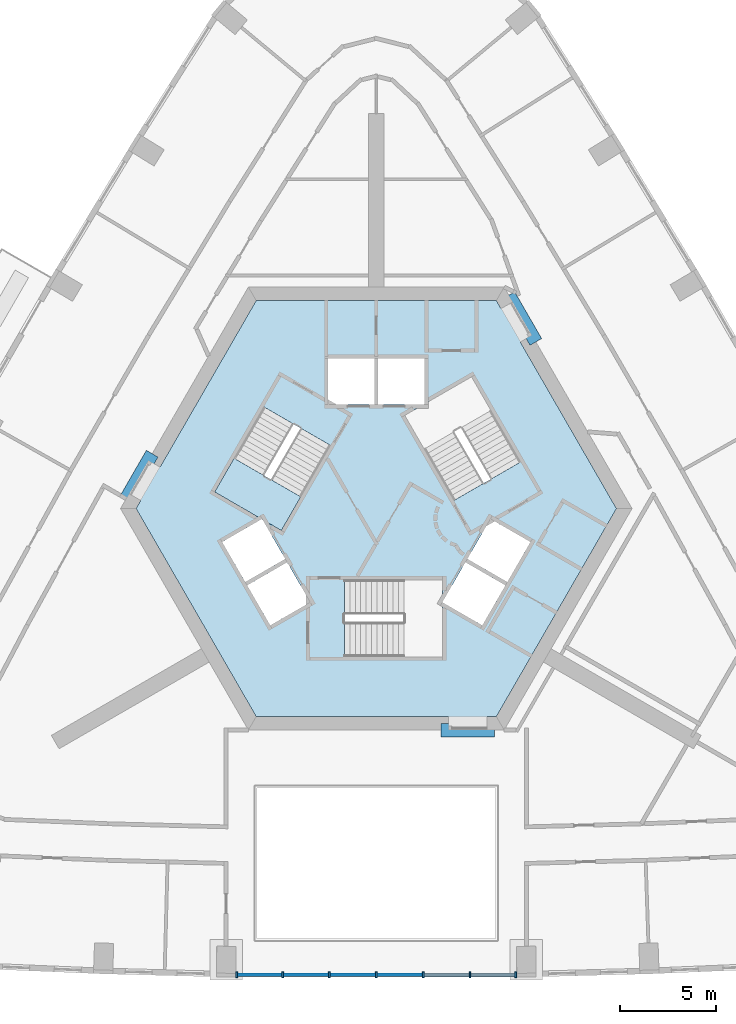
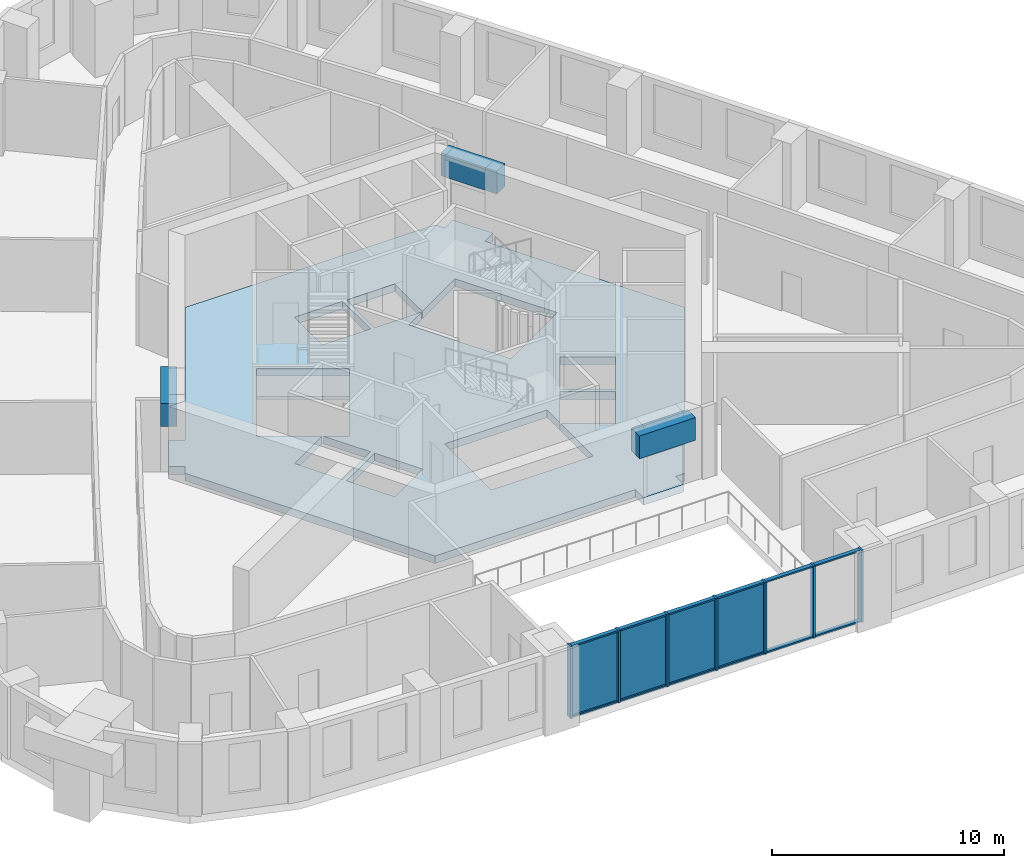
# One storey, part 2 of 13: 19 members, 4 plates, 3 beams, 2 slabs, 2 elements without a shape of their own.
"""IFC4 building model written with IfcOpenShell, lengths in metres."""

import ifcopenshell
import ifcopenshell.guid

model = None  # the IFC model being written
_history = None  # IfcOwnerHistory: only IFC2X3 demands one
_inside = {}  # id of a spatial element -> (the spatial element, [elements in it])
_under = {}  # id of a project, library or spatial element -> (it, [spatial elements below it])
_declared = {}  # id of a project -> (the project, [libraries it declares])
_typed = {}  # id of a type object -> (the type object, [elements of that type])
_made_of = {}  # id of a material, layer set ... -> (it, [elements and type objects made of it])


def new_model(schema):
    """Start an empty IFC model of exactly this schema.

    Asked for "IFC4X3", IfcOpenShell would pick the latest addendum, in which some entities
    have other attributes; the version numbers below select the first issue.
    IFC2X3 requires an IfcOwnerHistory on every rooted entity: one is made here for all.
    """
    global model, _history
    if schema == "IFC4X3":
        model = ifcopenshell.file(schema_version=(4, 3, 0, 0))
    else:
        model = ifcopenshell.file(schema=schema)
    _inside.clear()
    _under.clear()
    _declared.clear()
    _typed.clear()
    _made_of.clear()
    _history = None
    if model.schema == "IFC2X3":
        org = make("IfcOrganization", Name="unknown")
        user = make(
            "IfcPersonAndOrganization",
            ThePerson=make("IfcPerson", FamilyName="unknown"),
            TheOrganization=org,
        )
        app = make(
            "IfcApplication",
            ApplicationDeveloper=org,
            Version="unknown",
            ApplicationFullName="unknown",
            ApplicationIdentifier="unknown",
        )
        _history = make(
            "IfcOwnerHistory",
            OwningUser=user,
            OwningApplication=app,
            ChangeAction="ADDED",
            CreationDate=0,
        )
    return model


def make(cls, **values):
    """One entity of the class cls with the attributes given. An attribute that is None is left unset."""
    return model.create_entity(
        cls, **{name: value for name, value in values.items() if value is not None}
    )


def rooted(cls, **values):
    """An entity with a GlobalId (a new one), such as an element, a storey or a relation."""
    return make(cls, GlobalId=ifcopenshell.guid.new(), OwnerHistory=_history, **values)


def si_unit(unit_type, name, prefix=None):
    """IfcSIUnit, for example si_unit("LENGTHUNIT", "METRE", prefix="MILLI")."""
    return make("IfcSIUnit", UnitType=unit_type, Prefix=prefix, Name=name)


def assignment(units):
    """IfcUnitAssignment: the units of a project."""
    return None if units is None else make("IfcUnitAssignment", Units=units)


def point(xyz):
    """IfcCartesianPoint."""
    return None if xyz is None else make("IfcCartesianPoint", Coordinates=xyz)


def direction(xyz):
    """IfcDirection."""
    return None if xyz is None else make("IfcDirection", DirectionRatios=xyz)


def frame(location, z_axis=None, x_axis=None):
    """IfcAxis2Placement3D, a coordinate frame: its origin and axes. An axis left out is left unset."""
    return make(
        "IfcAxis2Placement3D",
        Location=point(location),
        Axis=direction(z_axis),
        RefDirection=direction(x_axis),
    )


def frame_2d(location, x_axis=None):
    """IfcAxis2Placement2D, a coordinate frame in the plane: its origin and x axis."""
    return make(
        "IfcAxis2Placement2D", Location=point(location), RefDirection=direction(x_axis)
    )


def origin():
    """The frame at (0, 0, 0) with its axes left unset."""
    return frame((0.0, 0.0, 0.0))


def origin_2d():
    """The frame at (0, 0) in the plane with its x axis left unset."""
    return frame_2d((0.0, 0.0))


def place(relative_to, where):
    """IfcLocalPlacement: puts the frame where relative to a parent placement (None: the world)."""
    return make(
        "IfcLocalPlacement", PlacementRelTo=relative_to, RelativePlacement=where
    )


def context(
    kind, dimensions, precision=None, world=None, true_north=None, identifier=None
):
    """IfcGeometricRepresentationContext, for example the 3D "Model" context."""
    return make(
        "IfcGeometricRepresentationContext",
        ContextIdentifier=identifier,
        ContextType=kind,
        CoordinateSpaceDimension=dimensions,
        Precision=precision,
        WorldCoordinateSystem=world,
        TrueNorth=true_north,
    )


def subcontext(parent, identifier, kind, view, scale=None):
    """IfcGeometricRepresentationSubContext, for example "Body" below "Model"."""
    return make(
        "IfcGeometricRepresentationSubContext",
        ContextIdentifier=identifier,
        ContextType=kind,
        ParentContext=parent,
        TargetScale=scale,
        TargetView=view,
    )


def project(units=None, contexts=None):
    """IfcProject with its units and contexts."""
    return rooted(
        "IfcProject",
        Name="project",
        RepresentationContexts=contexts,
        UnitsInContext=assignment(units),
    )


def spatial(cls, under=None, at=None, **own):
    """A site, building, storey or space (cls), placed at a placement, below another one or the project."""
    s = rooted(cls, ObjectPlacement=at, **own)
    if under is not None:
        _under.setdefault(under.id(), (under, []))[1].append(s)
    return s


def polyline(points):
    """IfcPolyline through the points."""
    return make("IfcPolyline", Points=[point(p) for p in points])


def profile(cls, at=None, kind="AREA", **sizes):
    """A parametric profile (cls). Its sizes go by their IFC names, for example OverallWidth=200.0."""
    return make(cls, ProfileType=kind, Position=at, **sizes)


def rectangle(**sizes):
    """IfcRectangleProfileDef."""
    return profile("IfcRectangleProfileDef", **sizes)


def outline(outer, holes=None, kind="AREA"):
    """IfcArbitraryClosedProfileDef: a profile drawn as a closed curve; with holes, ...WithVoids."""
    if holes is None:
        return make("IfcArbitraryClosedProfileDef", ProfileType=kind, OuterCurve=outer)
    return make(
        "IfcArbitraryProfileDefWithVoids",
        ProfileType=kind,
        OuterCurve=outer,
        InnerCurves=holes,
    )


def extrude(swept, where, along, depth):
    """IfcExtrudedAreaSolid: the profile swept, set in the frame where, extruded along a direction by depth."""
    return make(
        "IfcExtrudedAreaSolid",
        SweptArea=swept,
        Position=where,
        ExtrudedDirection=direction(along),
        Depth=depth,
    )


def shape(context_of_items, identifier, shape_type, items):
    """IfcShapeRepresentation: the items that make up one representation, for example the "Body"."""
    return make(
        "IfcShapeRepresentation",
        ContextOfItems=context_of_items,
        RepresentationIdentifier=identifier,
        RepresentationType=shape_type,
        Items=items,
    )


def material(Name=None, Category=None):
    """IfcMaterial."""
    return make("IfcMaterial", Name=Name, Category=Category)


def layer(
    of_material, thickness, ventilated=None, Name=None, Category=None, Priority=None
):
    """IfcMaterialLayer: one layer of a wall or slab, of a material (None: an air gap)."""
    return make(
        "IfcMaterialLayer",
        Material=of_material,
        LayerThickness=thickness,
        IsVentilated=ventilated,
        Name=Name,
        Category=Category,
        Priority=Priority,
    )


def layer_set(layers, Name=None):
    """IfcMaterialLayerSet."""
    return make("IfcMaterialLayerSet", MaterialLayers=layers, LayerSetName=Name)


def material_profile(
    of_material, cross_section, Name=None, Category=None, Priority=None
):
    """IfcMaterialProfile: a cross section and its material."""
    return make(
        "IfcMaterialProfile",
        Name=Name,
        Material=of_material,
        Profile=cross_section,
        Priority=Priority,
        Category=Category,
    )


def profile_set(profiles, Name=None, composite=None):
    """IfcMaterialProfileSet."""
    return make(
        "IfcMaterialProfileSet",
        Name=Name,
        MaterialProfiles=profiles,
        CompositeProfile=composite,
    )


def made_of(thing, what):
    """Note that an element or type object is made of a material, layer set ...; save() writes the relation."""
    if what is not None:
        _made_of.setdefault(what.id(), (what, []))[1].append(thing)
    return thing


def type_object(cls, material=None, **own):
    """A type object (cls), such as IfcWallType, which elements share."""
    return made_of(rooted(cls, **own), material)


def element(
    cls,
    number,
    at=None,
    inside=None,
    cuts=None,
    type_object=None,
    material=None,
    context=None,
    identifier="Body",
    shape_type=None,
    held_by="IfcProductDefinitionShape",
    body=None,
    shapes=None,
    **own,
):
    """One element of the class cls, such as IfcWall. Its Tag is "e" and its number.

    at: its placement. inside: the storey or other place that contains it. cuts: it is an
    opening in that element (IfcRelVoidsElement). A single representation is given by context,
    identifier, shape_type and body (its items); several are given by shapes. held_by: the class
    of the entity that holds the representations. save() writes the other relations.
    """
    e = rooted(cls, Tag="e%d" % number, ObjectPlacement=at, **own)
    if body is not None:
        shapes = [shape(context, identifier, shape_type, body)]
    if shapes is not None:
        e.Representation = make(held_by, Representations=shapes)
    if inside is not None:
        _inside.setdefault(inside.id(), (inside, []))[1].append(e)
    if cuts is not None:
        rooted(
            "IfcRelVoidsElement", RelatingBuildingElement=cuts, RelatedOpeningElement=e
        )
    if type_object is not None:
        _typed.setdefault(type_object.id(), (type_object, []))[1].append(e)
    return made_of(e, material)


def aggregate(whole, parts):
    """IfcRelAggregates: a whole, such as a stair, and the parts it consists of."""
    return rooted("IfcRelAggregates", RelatingObject=whole, RelatedObjects=parts)


def save(model, path):
    """Write the relations noted so far, then the file.

    IfcRelAggregates (storeys below a building ...), IfcRelContainedInSpatialStructure (elements
    in a storey), IfcRelDefinesByType, IfcRelAssociatesMaterial and IfcRelDeclares: one each for
    every whole, place, type object, material and project.
    """
    for whole, parts in _under.values():
        aggregate(whole, parts)
    for where, things in _inside.values():
        rooted(
            "IfcRelContainedInSpatialStructure",
            RelatedElements=things,
            RelatingStructure=where,
        )
    for kind, things in _typed.values():
        rooted("IfcRelDefinesByType", RelatedObjects=things, RelatingType=kind)
    for what, things in _made_of.values():
        rooted("IfcRelAssociatesMaterial", RelatedObjects=things, RelatingMaterial=what)
    for by, libraries in _declared.values():
        rooted("IfcRelDeclares", RelatingContext=by, RelatedDefinitions=libraries)
    model.write(path)


model = new_model("IFC4")

# Units and contexts
model_context = context("Model", 3, precision=1e-05, world=origin(), true_north=direction((0.0, 1.0)))
body_context = subcontext(model_context, "Body", "Model", "MODEL_VIEW")
ifc_project = project(units=[si_unit("LENGTHUNIT", "METRE"), si_unit("AREAUNIT", "SQUARE_METRE"), si_unit("VOLUMEUNIT", "CUBIC_METRE"), si_unit("PLANEANGLEUNIT", "RADIAN"), si_unit("MASSUNIT", "GRAM", prefix="KILO")], contexts=[model_context])

# Site, building, storey
site_placement = place(None, origin())
site = spatial("IfcSite", under=ifc_project, at=site_placement, CompositionType="ELEMENT")
building_placement = place(site_placement, origin())
building = spatial("IfcBuilding", under=site, at=building_placement, Name="Entoto Arch Interchange Tower", CompositionType="ELEMENT")
storey_placement = place(building_placement, frame((0.0, 0.0, 198.199951171875)))
storey = spatial("IfcBuildingStorey", under=building, at=storey_placement, Name="L44", CompositionType="ELEMENT", Elevation=198.199951171875)

# Beams
ifc_material_1 = material(Name="Concrete C50/60", Category="concrete")
ifc_material_profile_1 = material_profile(ifc_material_1, rectangle(XDim=0.699951171875, YDim=1.199951171875, at=origin_2d()))
ifc_profile_set_1 = profile_set([ifc_material_profile_1], Name="Concrete C50/60")
beam_type = type_object("IfcBeamType", Name="Coupling beam RC 700x1200 C50/60", PredefinedType="BEAM", material=ifc_profile_set_1)
for number, where, z_axis, x_axis, name in (
    (1, (8.283935546875, 11.152099609375, 3.0), (-0.500135180047, 0.865947343479, 0.0), (-0.865947343479, -0.500135180047, 0.0), "Coupling beam NE L44"),
    (2, (-11.634033203125, 5.347900390625, 3.0), (-0.500135180047, -0.865947343479, 0.0), (0.865947343479, -0.500135180047, 0.0), "Coupling beam NW L44"),
):
    element("IfcBeam", number, at=place(storey_placement, frame(where, z_axis=z_axis, x_axis=x_axis)), inside=storey, type_object=beam_type, Name=name, PredefinedType="BEAM", context=body_context, shape_type="SweptSolid", body=[
        extrude(rectangle(XDim=0.699951171875, YDim=1.199951171875, at=origin_2d()), origin(), (0.0, 0.0, 1.0), 2.799072265625),
    ])
beam_placement = place(storey_placement, frame((3.35009765625, -9.0, 3.0), z_axis=(1.0, 0.0, 0.0), x_axis=(0.0, 1.0, 0.0)))
element("IfcBeam", 3, at=beam_placement, inside=storey, type_object=beam_type, Name="Coupling beam S L44", PredefinedType="BEAM", context=body_context, shape_type="SweptSolid", body=[
    extrude(rectangle(XDim=0.699951171875, YDim=1.199951171875, at=origin_2d()), origin(), (0.0, 0.0, 1.0), 2.7998046875),
])

# Curtain wall, members
ifc_material_2 = material(Name="Aluminium, anodised", Category="aluminium")
curtain_wall_type = type_object("IfcCurtainWallType", Name="CURTAIN WALL ATRIUM", PredefinedType="NOTDEFINED", material=ifc_material_2)
curtain_wall_placement = place(storey_placement, origin())
curtain_wall = element("IfcCurtainWall", 4, at=curtain_wall_placement, inside=storey, type_object=curtain_wall_type, Name="Atrium glazing S-03 L44", PredefinedType="NOTDEFINED")
ifc_material_profile_2 = material_profile(ifc_material_2, rectangle(XDim=0.300048828125, YDim=0.10009765625, at=origin_2d()))
ifc_profile_set_2 = profile_set([ifc_material_profile_2], Name="Aluminium, anodised")
member_type_1 = type_object("IfcMemberType", Name="MULLION ATRIUM 100x300", PredefinedType="MULLION", material=ifc_profile_set_2)
member_1_placement = place(storey_placement, frame((-7.2490234375, -21.701904296875, 0.0), z_axis=(0.0, 0.0, 1.0), x_axis=(0.0, 1.0, 0.0)))
member_1 = element("IfcMember", 5, at=member_1_placement, type_object=member_type_1, Name="CWA mullion 1", PredefinedType="MULLION", context=body_context, shape_type="SweptSolid", body=[
    extrude(rectangle(XDim=0.300048828125, YDim=0.10009765625, at=origin_2d()), origin(), (0.0, 0.0, 1.0), 3.800048828125),
])
member_2_placement = place(storey_placement, frame((-4.865966796875, -21.701904296875, 0.0), z_axis=(0.0, 0.0, 1.0), x_axis=(0.0, 1.0, 0.0)))
member_2 = element("IfcMember", 6, at=member_2_placement, type_object=member_type_1, Name="CWA mullion 2", PredefinedType="MULLION", context=body_context, shape_type="SweptSolid", body=[
    extrude(rectangle(XDim=0.300048828125, YDim=0.10009765625, at=origin_2d()), origin(), (0.0, 0.0, 1.0), 3.800048828125),
])
member_3_placement = place(storey_placement, frame((-2.43310546875, -21.701904296875, 0.0), z_axis=(0.0, 0.0, 1.0), x_axis=(0.0, 1.0, 0.0)))
member_3 = element("IfcMember", 7, at=member_3_placement, type_object=member_type_1, Name="CWA mullion 3", PredefinedType="MULLION", context=body_context, shape_type="SweptSolid", body=[
    extrude(rectangle(XDim=0.300048828125, YDim=0.10009765625, at=origin_2d()), origin(), (0.0, 0.0, 1.0), 3.800048828125),
])
member_4_placement = place(storey_placement, frame((0.0, -21.701904296875, 0.0), z_axis=(0.0, 0.0, 1.0), x_axis=(0.0, 1.0, 0.0)))
member_4 = element("IfcMember", 8, at=member_4_placement, type_object=member_type_1, Name="CWA mullion 4", PredefinedType="MULLION", context=body_context, shape_type="SweptSolid", body=[
    extrude(rectangle(XDim=0.300048828125, YDim=0.10009765625, at=origin_2d()), origin(), (0.0, 0.0, 1.0), 3.800048828125),
])
member_5_placement = place(storey_placement, frame((2.43310546875, -21.701904296875, 0.0), z_axis=(0.0, 0.0, 1.0), x_axis=(0.0, 1.0, 0.0)))
member_5 = element("IfcMember", 9, at=member_5_placement, type_object=member_type_1, Name="CWA mullion 5", PredefinedType="MULLION", context=body_context, shape_type="SweptSolid", body=[
    extrude(rectangle(XDim=0.300048828125, YDim=0.10009765625, at=origin_2d()), origin(), (0.0, 0.0, 1.0), 3.800048828125),
])
member_6_placement = place(storey_placement, frame((4.865966796875, -21.701904296875, 0.0), z_axis=(0.0, 0.0, 1.0), x_axis=(0.0, 1.0, 0.0)))
member_6 = element("IfcMember", 10, at=member_6_placement, type_object=member_type_1, Name="CWA mullion 6", PredefinedType="MULLION", context=body_context, shape_type="SweptSolid", body=[
    extrude(rectangle(XDim=0.300048828125, YDim=0.10009765625, at=origin_2d()), origin(), (0.0, 0.0, 1.0), 3.800048828125),
])
member_7_placement = place(storey_placement, frame((7.2490234375, -21.701904296875, 0.0), z_axis=(0.0, 0.0, 1.0), x_axis=(0.0, 1.0, 0.0)))
member_7 = element("IfcMember", 11, at=member_7_placement, type_object=member_type_1, Name="CWA mullion 7", PredefinedType="MULLION", context=body_context, shape_type="SweptSolid", body=[
    extrude(rectangle(XDim=0.300048828125, YDim=0.10009765625, at=origin_2d()), origin(), (0.0, 0.0, 1.0), 3.800048828125),
])
ifc_material_profile_3 = material_profile(ifc_material_2, rectangle(XDim=0.199951171875, YDim=0.080078125, at=origin_2d()))
ifc_profile_set_3 = profile_set([ifc_material_profile_3], Name="Aluminium, anodised")
member_type_2 = type_object("IfcMemberType", Name="TRANSOM ATRIUM 80x200", PredefinedType="USERDEFINED", material=ifc_profile_set_3)
member_8_placement = place(storey_placement, frame((-7.198974609375, -21.701904296875, 0.0400390625), z_axis=(1.0, 0.0, 0.0), x_axis=(0.0, 1.0, 0.0)))
member_8 = element("IfcMember", 12, at=member_8_placement, type_object=member_type_2, Name="CWA transom 1.1", ObjectType="TRANSOM", PredefinedType="USERDEFINED", context=body_context, shape_type="SweptSolid", body=[
    extrude(rectangle(XDim=0.199951171875, YDim=0.080078125, at=origin_2d()), origin(), (0.0, 0.0, 1.0), 2.282958984375),
])
member_9_placement = place(storey_placement, frame((-7.198974609375, -21.701904296875, 3.760009765625), z_axis=(1.0, 0.0, 0.0), x_axis=(0.0, 1.0, 0.0)))
member_9 = element("IfcMember", 13, at=member_9_placement, type_object=member_type_2, Name="CWA transom 1.2", ObjectType="TRANSOM", PredefinedType="USERDEFINED", context=body_context, shape_type="SweptSolid", body=[
    extrude(rectangle(XDim=0.199951171875, YDim=0.080078125, at=origin_2d()), origin(), (0.0, 0.0, 1.0), 2.282958984375),
])
member_10_placement = place(storey_placement, frame((-4.81591796875, -21.701904296875, 0.0400390625), z_axis=(1.0, 0.0, 0.0), x_axis=(0.0, 1.0, 0.0)))
member_10 = element("IfcMember", 14, at=member_10_placement, type_object=member_type_2, Name="CWA transom 2.1", ObjectType="TRANSOM", PredefinedType="USERDEFINED", context=body_context, shape_type="SweptSolid", body=[
    extrude(rectangle(XDim=0.199951171875, YDim=0.080078125, at=origin_2d()), origin(), (0.0, 0.0, 1.0), 2.3330078125),
])
member_11_placement = place(storey_placement, frame((-4.81591796875, -21.701904296875, 3.760009765625), z_axis=(1.0, 0.0, 0.0), x_axis=(0.0, 1.0, 0.0)))
member_11 = element("IfcMember", 15, at=member_11_placement, type_object=member_type_2, Name="CWA transom 2.2", ObjectType="TRANSOM", PredefinedType="USERDEFINED", context=body_context, shape_type="SweptSolid", body=[
    extrude(rectangle(XDim=0.199951171875, YDim=0.080078125, at=origin_2d()), origin(), (0.0, 0.0, 1.0), 2.3330078125),
])
member_12_placement = place(storey_placement, frame((-2.383056640625, -21.701904296875, 0.0400390625), z_axis=(1.0, 0.0, 0.0), x_axis=(0.0, 1.0, 0.0)))
member_12 = element("IfcMember", 16, at=member_12_placement, type_object=member_type_2, Name="CWA transom 3.1", ObjectType="TRANSOM", PredefinedType="USERDEFINED", context=body_context, shape_type="SweptSolid", body=[
    extrude(rectangle(XDim=0.199951171875, YDim=0.080078125, at=origin_2d()), origin(), (0.0, 0.0, 1.0), 2.3330078125),
])
member_13_placement = place(storey_placement, frame((-2.383056640625, -21.701904296875, 3.760009765625), z_axis=(1.0, 0.0, 0.0), x_axis=(0.0, 1.0, 0.0)))
member_13 = element("IfcMember", 17, at=member_13_placement, type_object=member_type_2, Name="CWA transom 3.2", ObjectType="TRANSOM", PredefinedType="USERDEFINED", context=body_context, shape_type="SweptSolid", body=[
    extrude(rectangle(XDim=0.199951171875, YDim=0.080078125, at=origin_2d()), origin(), (0.0, 0.0, 1.0), 2.3330078125),
])
member_14_placement = place(storey_placement, frame((0.050048828125, -21.701904296875, 0.0400390625), z_axis=(1.0, 0.0, 0.0), x_axis=(0.0, 1.0, 0.0)))
member_14 = element("IfcMember", 18, at=member_14_placement, type_object=member_type_2, Name="CWA transom 4.1", ObjectType="TRANSOM", PredefinedType="USERDEFINED", context=body_context, shape_type="SweptSolid", body=[
    extrude(rectangle(XDim=0.199951171875, YDim=0.080078125, at=origin_2d()), origin(), (0.0, 0.0, 1.0), 2.3330078125),
])
member_15_placement = place(storey_placement, frame((0.050048828125, -21.701904296875, 3.760009765625), z_axis=(1.0, 0.0, 0.0), x_axis=(0.0, 1.0, 0.0)))
member_15 = element("IfcMember", 19, at=member_15_placement, type_object=member_type_2, Name="CWA transom 4.2", ObjectType="TRANSOM", PredefinedType="USERDEFINED", context=body_context, shape_type="SweptSolid", body=[
    extrude(rectangle(XDim=0.199951171875, YDim=0.080078125, at=origin_2d()), origin(), (0.0, 0.0, 1.0), 2.3330078125),
])
member_16_placement = place(storey_placement, frame((2.48291015625, -21.701904296875, 0.0400390625), z_axis=(1.0, 0.0, 0.0), x_axis=(0.0, 1.0, 0.0)))
member_16 = element("IfcMember", 20, at=member_16_placement, type_object=member_type_2, Name="CWA transom 5.1", ObjectType="TRANSOM", PredefinedType="USERDEFINED", context=body_context, shape_type="SweptSolid", body=[
    extrude(rectangle(XDim=0.199951171875, YDim=0.080078125, at=origin_2d()), origin(), (0.0, 0.0, 1.0), 2.3330078125),
])
member_17_placement = place(storey_placement, frame((2.48291015625, -21.701904296875, 3.760009765625), z_axis=(1.0, 0.0, 0.0), x_axis=(0.0, 1.0, 0.0)))
member_17 = element("IfcMember", 21, at=member_17_placement, type_object=member_type_2, Name="CWA transom 5.2", ObjectType="TRANSOM", PredefinedType="USERDEFINED", context=body_context, shape_type="SweptSolid", body=[
    extrude(rectangle(XDim=0.199951171875, YDim=0.080078125, at=origin_2d()), origin(), (0.0, 0.0, 1.0), 2.3330078125),
])
member_18_placement = place(storey_placement, frame((4.916015625, -21.701904296875, 0.0400390625), z_axis=(1.0, 0.0, 0.0), x_axis=(0.0, 1.0, 0.0)))
member_18 = element("IfcMember", 22, at=member_18_placement, type_object=member_type_2, Name="CWA transom 6.1", ObjectType="TRANSOM", PredefinedType="USERDEFINED", context=body_context, shape_type="SweptSolid", body=[
    extrude(rectangle(XDim=0.199951171875, YDim=0.080078125, at=origin_2d()), origin(), (0.0, 0.0, 1.0), 2.282958984375),
])
member_19_placement = place(storey_placement, frame((4.916015625, -21.701904296875, 3.760009765625), z_axis=(1.0, 0.0, 0.0), x_axis=(0.0, 1.0, 0.0)))
member_19 = element("IfcMember", 23, at=member_19_placement, type_object=member_type_2, Name="CWA transom 6.2", ObjectType="TRANSOM", PredefinedType="USERDEFINED", context=body_context, shape_type="SweptSolid", body=[
    extrude(rectangle(XDim=0.199951171875, YDim=0.080078125, at=origin_2d()), origin(), (0.0, 0.0, 1.0), 2.282958984375),
])

# Slab
ifc_material_3 = material(Name="Concrete C40/50", Category="concrete")
ifc_layer_1 = layer(ifc_material_3, 0.39990234375)
ifc_layer_set_1 = layer_set([ifc_layer_1], Name="Concrete C40/50")
slab_type_1 = type_object("IfcSlabType", Name="Core floor slab 400 C40/50", PredefinedType="FLOOR", material=ifc_layer_set_1)
slab_1_placement = place(storey_placement, frame((0.0, 0.0, -0.39990234375)))
element("IfcSlab", 24, at=slab_1_placement, inside=storey, type_object=slab_type_1, Name="Core floor slab L44", PredefinedType="FLOOR", context=body_context, shape_type="SweptSolid", body=[
    extrude(outline(polyline([(5.75, -9.0), (3.75, -9.0), (3.75, -8.300048828125), (-6.235107421875, -8.300048828125), (-12.470947265625, 2.5), (-12.22802734375, 2.919921875), (-12.833984375, 3.27001953125), (-11.833984375, 5.001953125), (-11.22802734375, 4.652099609375), (-6.235107421875, 13.300048828125), (6.235107421875, 13.300048828125), (6.47802734375, 12.8798828125), (7.083984375, 13.22998046875), (8.083984375, 11.498046875), (7.47802734375, 11.14794921875), (12.470947265625, 2.5), (6.235107421875, -8.300048828125), (5.75, -8.300048828125), (5.75, -9.0)]), holes=[polyline([(-1.64990234375, -5.199951171875), (3.449951171875, -5.199951171875), (3.449951171875, -2.3779296875), (5.5048828125, -3.56494140625), (6.705078125, -1.487060546875), (4.626953125, -0.287109375), (3.449951171875, -2.324951171875), (3.449951171875, -1.199951171875), (-1.64990234375, -1.199951171875), (-1.64990234375, -5.199951171875)]), polyline([(-4.626953125, -0.287109375), (-6.705078125, -1.487060546875), (-5.5048828125, -3.56494140625), (-3.427001953125, -2.364990234375), (-4.626953125, -0.287109375)]), polyline([(-5.904052734375, 1.925048828125), (-4.928955078125, 1.362060546875), (-2.37890625, 5.779052734375), (-5.843017578125, 7.779052734375), (-8.39306640625, 3.362060546875), (-5.949951171875, 1.951904296875), (-8.0048828125, 0.764892578125), (-6.804931640625, -1.31298828125), (-4.72705078125, -0.113037109375), (-5.904052734375, 1.925048828125)]), polyline([(4.72705078125, -0.113037109375), (6.804931640625, -1.31298828125), (8.0048828125, 0.764892578125), (5.927001953125, 1.965087890625), (4.72705078125, -0.113037109375)]), polyline([(2.5, 7.927001953125), (2.5, 10.300048828125), (0.10009765625, 10.300048828125), (0.10009765625, 7.89990234375), (2.452880859375, 7.89990234375), (1.47900390625, 7.337890625), (4.029052734375, 2.9208984375), (7.492919921875, 4.9208984375), (4.943115234375, 9.337890625), (2.5, 7.927001953125)]), polyline([(-2.5, 7.89990234375), (-0.10009765625, 7.89990234375), (-0.10009765625, 10.300048828125), (-2.5, 10.300048828125), (-2.5, 7.89990234375)])]), origin(), (0.0, 0.0, 1.0), 0.39990234375),
])

# Stair, slab
stair_type = type_object("IfcStairType", Name="EXIT STAIR RC 1800", PredefinedType="HALF_TURN_STAIR", material=ifc_material_3)
stair_placement = place(storey_placement, origin())
stair = element("IfcStair", 25, at=stair_placement, inside=storey, type_object=stair_type, Name="L44 Exit stair NW", PredefinedType="HALF_TURN_STAIR")
ifc_layer_2 = layer(ifc_material_3, 0.199951171875)
ifc_layer_set_2 = layer_set([ifc_layer_2], Name="Concrete C40/50")
slab_type_2 = type_object("IfcSlabType", Name="EXIT STAIR LANDING RC 200", PredefinedType="LANDING", material=ifc_layer_set_2)
slab_2_placement = place(storey_placement, frame((0.0, 0.0, 1.900146484375)))
slab_2 = element("IfcSlab", 26, at=slab_2_placement, type_object=slab_type_2, Name="ST-NW landing 1", PredefinedType="LANDING", context=body_context, shape_type="SweptSolid", body=[
    extrude(outline(polyline([(-7.38330078125, 5.111572265625), (-8.393310546875, 3.3623046875), (-4.92919921875, 1.3623046875), (-3.919189453125, 3.111572265625), (-7.38330078125, 5.111572265625)])), origin(), (0.0, 0.0, 1.0), 0.199951171875),
])
aggregate(stair, [slab_2])

# Plate
ifc_material_4 = material(Name="Clear glass, low-e double glazed", Category="glass")
ifc_layer_3 = layer(ifc_material_4, 0.031982421875)
ifc_layer_set_3 = layer_set([ifc_layer_3], Name="Clear glass, low-e double glazed")
plate_type = type_object("IfcPlateType", Name="GLAZING PANEL ATRIUM 32", PredefinedType="CURTAIN_PANEL", material=ifc_layer_set_3)
plate_1_placement = place(storey_placement, frame((-6.0576171875, -21.701904296875, 0.080078125), z_axis=(0.0, 0.0, 1.0), x_axis=(1.0, 0.0, 0.0)))
plate_1 = element("IfcPlate", 27, at=plate_1_placement, type_object=plate_type, Name="CWA panel 1.1", PredefinedType="CURTAIN_PANEL", context=body_context, shape_type="SweptSolid", body=[
    extrude(rectangle(XDim=2.282958984375, YDim=0.031982421875, at=origin_2d()), origin(), (0.0, 0.0, 1.0), 3.639892578125),
])

plate_2_placement = place(storey_placement, frame((-3.6494140625, -21.701904296875, 0.080078125), z_axis=(0.0, 0.0, 1.0), x_axis=(1.0, 0.0, 0.0)))
plate_2 = element("IfcPlate", 28, at=plate_2_placement, type_object=plate_type, Name="CWA panel 2.1", PredefinedType="CURTAIN_PANEL", context=body_context, shape_type="SweptSolid", body=[
    extrude(rectangle(XDim=2.3330078125, YDim=0.031982421875, at=origin_2d()), origin(), (0.0, 0.0, 1.0), 3.639892578125),
])

plate_3_placement = place(storey_placement, frame((-1.216552734375, -21.701904296875, 0.080078125), z_axis=(0.0, 0.0, 1.0), x_axis=(1.0, 0.0, 0.0)))
plate_3 = element("IfcPlate", 29, at=plate_3_placement, type_object=plate_type, Name="CWA panel 3.1", PredefinedType="CURTAIN_PANEL", context=body_context, shape_type="SweptSolid", body=[
    extrude(rectangle(XDim=2.3330078125, YDim=0.031982421875, at=origin_2d()), origin(), (0.0, 0.0, 1.0), 3.639892578125),
])

plate_4_placement = place(storey_placement, frame((1.216552734375, -21.701904296875, 0.080078125), z_axis=(0.0, 0.0, 1.0), x_axis=(1.0, 0.0, 0.0)))
plate_4 = element("IfcPlate", 30, at=plate_4_placement, type_object=plate_type, Name="CWA panel 4.1", PredefinedType="CURTAIN_PANEL", context=body_context, shape_type="SweptSolid", body=[
    extrude(rectangle(XDim=2.3330078125, YDim=0.031982421875, at=origin_2d()), origin(), (0.0, 0.0, 1.0), 3.639892578125),
])

aggregate(curtain_wall, [member_1, member_2, member_3, member_4, member_5, member_6, member_7, member_8, member_9, plate_1, member_10, member_11, plate_2, member_12, member_13, plate_3, member_14, member_15, plate_4, member_16, member_17, member_18, member_19])

save(model, "model.ifc")
